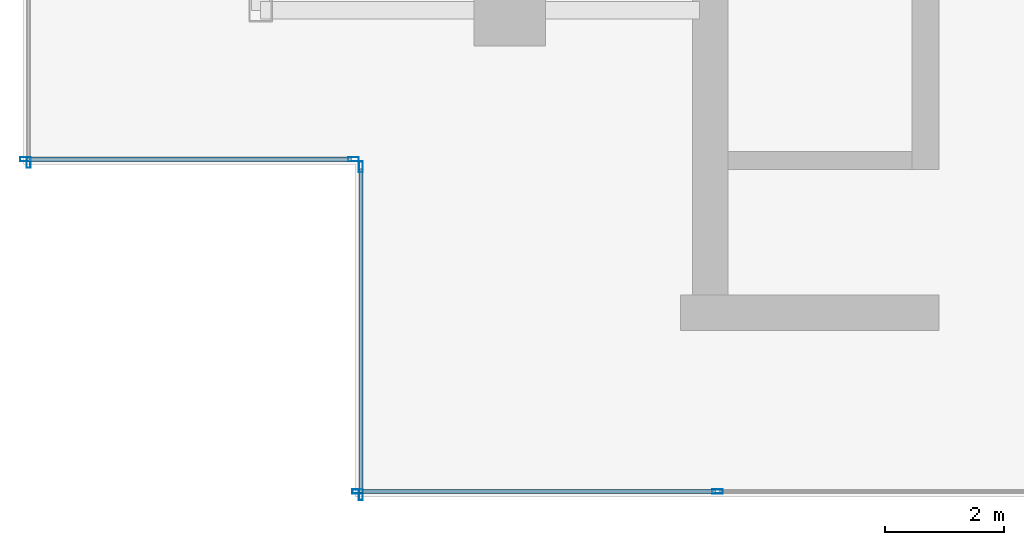
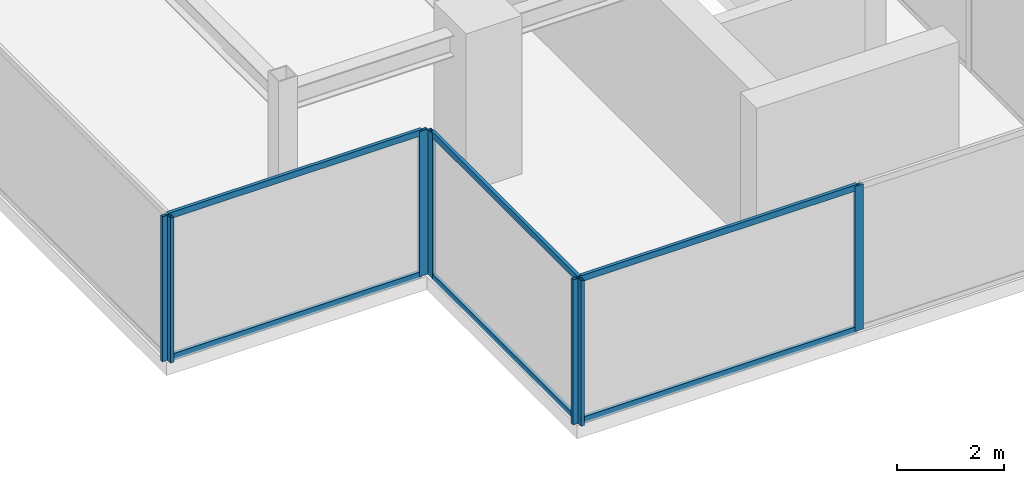
# One storey, part 2 of 16: 13 members, 4 elements without a shape of their own.
"""IFC4 building model written with IfcOpenShell, lengths in metres."""

from ifc_helpers import new_model, si_unit, direction, frame, origin, origin_2d, place, context, subcontext, project, spatial, hollow_rectangle, extrude, source, transform, mapped, material, material_profile, profile_set, type_object, type_shapes, element, aggregate, save


model = new_model("IFC4")

# Units and contexts
model_context = context("Model", 3, precision=1e-05, world=origin(), true_north=direction((0.0, 1.0)))
body_context = subcontext(model_context, "Body", "Model", "MODEL_VIEW")
ifc_project = project(units=[si_unit("LENGTHUNIT", "METRE"), si_unit("AREAUNIT", "SQUARE_METRE"), si_unit("VOLUMEUNIT", "CUBIC_METRE"), si_unit("PLANEANGLEUNIT", "RADIAN"), si_unit("MASSUNIT", "GRAM", prefix="KILO")], contexts=[model_context])

# Site, building, storey
site_placement = place(None, origin())
site = spatial("IfcSite", under=ifc_project, at=site_placement, CompositionType="ELEMENT")
building_placement = place(site_placement, origin())
building = spatial("IfcBuilding", under=site, at=building_placement, Name="Krantzveldt Concourse Tower", CompositionType="ELEMENT")
storey_placement = place(building_placement, frame((0.0, 0.0, 381.85009765625)))
storey = spatial("IfcBuildingStorey", under=building, at=storey_placement, Name="L94", CompositionType="ELEMENT", Elevation=381.85009765625)

# Curtain wall, members
ifc_material = material(Name="Anodised aluminium 6063-T6", Category="aluminium")
curtain_wall_type = type_object("IfcCurtainWallType", Name="CW7", PredefinedType="USERDEFINED", material=ifc_material)
curtain_wall_1_placement = place(storey_placement, origin())
curtain_wall_1 = element("IfcCurtainWall", 1, at=curtain_wall_1_placement, inside=storey, type_object=curtain_wall_type, Name="CW-L94-WEST-06", ObjectType="UNITISED CURTAIN WALL", PredefinedType="USERDEFINED")
ifc_material_profile_1 = material_profile(ifc_material, hollow_rectangle(XDim=0.070068359375, YDim=0.139892578125, WallThickness=0.0048828125, at=origin_2d()), Name="Anodised aluminium 6063-T6", Category="aluminium")
ifc_profile_set_1 = profile_set([ifc_material_profile_1], Name="Anodised aluminium 6063-T6 - ALU-TRAN 140x70x5")
member_type_1 = type_object("IfcMemberType", Name="CW-TRN-150", PredefinedType="USERDEFINED", material=ifc_profile_set_1)
shared_shape_1 = source(origin(), body_context, "Body", "SweptSolid", [
    extrude(hollow_rectangle(XDim=0.070068359375, YDim=0.139892578125, WallThickness=0.0048828125, at=origin_2d()), origin(), (0.0, 0.0, 1.0), 5.4599609375),
])
member_1_placement = place(storey_placement, frame((17.070068359375, 13.389892578125, 0.034912109375), z_axis=(1.0, 0.0, 0.0), x_axis=(0.0, 1.0, 0.0)))
member_1 = element("IfcMember", 2, at=member_1_placement, type_object=member_type_1, Name="CW-CRN transom 1.1", ObjectType="TRANSOM", PredefinedType="USERDEFINED", context=body_context, shape_type="MappedRepresentation", body=[
    mapped(shared_shape_1, transform((0.0, 0.0, 0.0), x_axis=(1.0, 0.0, 0.0), y_axis=(0.0, 1.0, 0.0), z_axis=(0.0, 0.0, 1.0), scale=1.0)),
])
member_2_placement = place(storey_placement, frame((17.070068359375, 13.389892578125, 3.264892578125), z_axis=(1.0, 0.0, 0.0), x_axis=(0.0, 1.0, 0.0)))
member_2 = element("IfcMember", 3, at=member_2_placement, type_object=member_type_1, Name="CW-CRN transom 1.2", ObjectType="TRANSOM", PredefinedType="USERDEFINED", context=body_context, shape_type="MappedRepresentation", body=[
    mapped(shared_shape_1, transform((0.0, 0.0, 0.0), x_axis=(1.0, 0.0, 0.0), y_axis=(0.0, 1.0, 0.0), z_axis=(0.0, 0.0, 1.0), scale=1.0)),
])

curtain_wall_2_placement = place(storey_placement, origin())
curtain_wall_2 = element("IfcCurtainWall", 4, at=curtain_wall_2_placement, inside=storey, type_object=curtain_wall_type, Name="CW-L94-WEST-07", ObjectType="UNITISED CURTAIN WALL", PredefinedType="USERDEFINED")
member_3_placement = place(storey_placement, frame((22.68994140625, 13.22998046875, 0.034912109375), z_axis=(0.0, -1.0, 0.0), x_axis=(1.0, 0.0, 0.0)))
member_3 = element("IfcMember", 5, at=member_3_placement, type_object=member_type_1, Name="CW-CRN transom 1.1", ObjectType="TRANSOM", PredefinedType="USERDEFINED", context=body_context, shape_type="MappedRepresentation", body=[
    mapped(shared_shape_1, transform((0.0, 0.0, 0.0), x_axis=(1.0, 0.0, 0.0), y_axis=(0.0, 1.0, 0.0), z_axis=(0.0, 0.0, 1.0), scale=1.0)),
])
member_4_placement = place(storey_placement, frame((22.68994140625, 13.22998046875, 3.264892578125), z_axis=(0.0, -1.0, 0.0), x_axis=(1.0, 0.0, 0.0)))
member_4 = element("IfcMember", 6, at=member_4_placement, type_object=member_type_1, Name="CW-CRN transom 1.2", ObjectType="TRANSOM", PredefinedType="USERDEFINED", context=body_context, shape_type="MappedRepresentation", body=[
    mapped(shared_shape_1, transform((0.0, 0.0, 0.0), x_axis=(1.0, 0.0, 0.0), y_axis=(0.0, 1.0, 0.0), z_axis=(0.0, 0.0, 1.0), scale=1.0)),
])

curtain_wall_3_placement = place(storey_placement, origin())
curtain_wall_3 = element("IfcCurtainWall", 7, at=curtain_wall_3_placement, inside=storey, type_object=curtain_wall_type, Name="CW-L94-WEST-00", ObjectType="UNITISED CURTAIN WALL", PredefinedType="USERDEFINED")
shared_shape_2 = source(origin(), body_context, "Body", "SweptSolid", [
    extrude(hollow_rectangle(XDim=0.070068359375, YDim=0.139892578125, WallThickness=0.0048828125, at=origin_2d()), origin(), (0.0, 0.0, 1.0), 5.9951171875),
])
type_shapes(member_type_1, [shared_shape_1, shared_shape_2])
member_5_placement = place(storey_placement, frame((22.669921875, 7.7900390625, 0.034912109375), z_axis=(1.0, 0.0, 0.0), x_axis=(0.0, 1.0, 0.0)))
member_5 = element("IfcMember", 8, at=member_5_placement, type_object=member_type_1, Name="CW-CRN transom 1.1", ObjectType="TRANSOM", PredefinedType="USERDEFINED", context=body_context, shape_type="MappedRepresentation", body=[
    mapped(shared_shape_2, transform((0.0, 0.0, 0.0), x_axis=(1.0, 0.0, 0.0), y_axis=(0.0, 1.0, 0.0), z_axis=(0.0, 0.0, 1.0), scale=1.0)),
])
member_6_placement = place(storey_placement, frame((22.669921875, 7.7900390625, 3.264892578125), z_axis=(1.0, 0.0, 0.0), x_axis=(0.0, 1.0, 0.0)))
member_6 = element("IfcMember", 9, at=member_6_placement, type_object=member_type_1, Name="CW-CRN transom 1.2", ObjectType="TRANSOM", PredefinedType="USERDEFINED", context=body_context, shape_type="MappedRepresentation", body=[
    mapped(shared_shape_2, transform((0.0, 0.0, 0.0), x_axis=(1.0, 0.0, 0.0), y_axis=(0.0, 1.0, 0.0), z_axis=(0.0, 0.0, 1.0), scale=1.0)),
])
ifc_material_profile_2 = material_profile(ifc_material, hollow_rectangle(XDim=0.070068359375, YDim=0.179931640625, WallThickness=0.0048828125, at=origin_2d()), Name="Anodised aluminium 6063-T6", Category="aluminium")
ifc_profile_set_2 = profile_set([ifc_material_profile_2], Name="Anodised aluminium 6063-T6 - ALU-MULL 180x70x5")
member_type_2 = type_object("IfcMemberType", Name="CW-MUL-180", PredefinedType="MULLION", material=ifc_profile_set_2)
shared_shape_3 = source(origin(), body_context, "Body", "SweptSolid", [
    extrude(hollow_rectangle(XDim=0.070068359375, YDim=0.179931640625, WallThickness=0.0048828125, at=origin_2d()), origin(), (0.0, 0.0, 1.0), 3.2998046875),
])
type_shapes(member_type_2, [shared_shape_3])
member_7_placement = place(storey_placement, frame((22.635009765625, 7.7900390625, 0.0), z_axis=(0.0, 0.0, 1.0), x_axis=(0.0, 1.0, 0.0)))
member_7 = element("IfcMember", 10, at=member_7_placement, type_object=member_type_2, Name="CW-CRN mullion 1", PredefinedType="MULLION", context=body_context, shape_type="MappedRepresentation", body=[
    mapped(shared_shape_3, transform((0.0, 0.0, 0.0), x_axis=(1.0, 0.0, 0.0), y_axis=(0.0, 1.0, 0.0), z_axis=(0.0, 0.0, 1.0), scale=1.0)),
])
member_8_placement = place(storey_placement, frame((28.699951171875, 7.7900390625, 0.0), z_axis=(0.0, 0.0, 1.0), x_axis=(0.0, 1.0, 0.0)))
member_8 = element("IfcMember", 11, at=member_8_placement, type_object=member_type_2, Name="CW-CRN mullion 2", PredefinedType="MULLION", context=body_context, shape_type="MappedRepresentation", body=[
    mapped(shared_shape_3, transform((0.0, 0.0, 0.0), x_axis=(1.0, 0.0, 0.0), y_axis=(0.0, 1.0, 0.0), z_axis=(0.0, 0.0, 1.0), scale=1.0)),
])
aggregate(curtain_wall_3, [member_7, member_8, member_5, member_6])

# Curtain wall, member
curtain_wall_4_placement = place(storey_placement, origin())
curtain_wall_4 = element("IfcCurtainWall", 12, at=curtain_wall_4_placement, inside=storey, type_object=curtain_wall_type, Name="CW-L94-WEST-05", ObjectType="UNITISED CURTAIN WALL", PredefinedType="USERDEFINED")
member_9_placement = place(storey_placement, frame((17.090087890625, 13.3349609375, 0.0), z_axis=(0.0, 0.0, 1.0), x_axis=(1.0, 0.0, 0.0)))
member_9 = element("IfcMember", 13, at=member_9_placement, type_object=member_type_2, Name="CW-CRN mullion 5", PredefinedType="MULLION", context=body_context, shape_type="MappedRepresentation", body=[
    mapped(shared_shape_3, transform((0.0, 0.0, 0.0), x_axis=(1.0, 0.0, 0.0), y_axis=(0.0, 1.0, 0.0), z_axis=(0.0, 0.0, 1.0), scale=1.0)),
])
aggregate(curtain_wall_4, [member_9])

# Member
member_10_placement = place(storey_placement, frame((17.034912109375, 13.389892578125, 0.0), z_axis=(0.0, 0.0, 1.0), x_axis=(0.0, 1.0, 0.0)))
member_10 = element("IfcMember", 14, at=member_10_placement, type_object=member_type_2, Name="CW-CRN mullion 1", PredefinedType="MULLION", context=body_context, shape_type="MappedRepresentation", body=[
    mapped(shared_shape_3, transform((0.0, 0.0, 0.0), x_axis=(1.0, 0.0, 0.0), y_axis=(0.0, 1.0, 0.0), z_axis=(0.0, 0.0, 1.0), scale=1.0)),
])

member_11_placement = place(storey_placement, frame((22.56494140625, 13.389892578125, 0.0), z_axis=(0.0, 0.0, 1.0), x_axis=(0.0, 1.0, 0.0)))
member_11 = element("IfcMember", 15, at=member_11_placement, type_object=member_type_2, Name="CW-CRN mullion 2", PredefinedType="MULLION", context=body_context, shape_type="MappedRepresentation", body=[
    mapped(shared_shape_3, transform((0.0, 0.0, 0.0), x_axis=(1.0, 0.0, 0.0), y_axis=(0.0, 1.0, 0.0), z_axis=(0.0, 0.0, 1.0), scale=1.0)),
])

aggregate(curtain_wall_1, [member_10, member_11, member_1, member_2])

member_12_placement = place(storey_placement, frame((22.68994140625, 13.264892578125, 0.0), z_axis=(0.0, 0.0, 1.0), x_axis=(1.0, 0.0, 0.0)))
member_12 = element("IfcMember", 16, at=member_12_placement, type_object=member_type_2, Name="CW-CRN mullion 1", PredefinedType="MULLION", context=body_context, shape_type="MappedRepresentation", body=[
    mapped(shared_shape_3, transform((0.0, 0.0, 0.0), x_axis=(1.0, 0.0, 0.0), y_axis=(0.0, 1.0, 0.0), z_axis=(0.0, 0.0, 1.0), scale=1.0)),
])

member_13_placement = place(storey_placement, frame((22.68994140625, 7.735107421875, 0.0), z_axis=(0.0, 0.0, 1.0), x_axis=(1.0, 0.0, 0.0)))
member_13 = element("IfcMember", 17, at=member_13_placement, type_object=member_type_2, Name="CW-CRN mullion 2", PredefinedType="MULLION", context=body_context, shape_type="MappedRepresentation", body=[
    mapped(shared_shape_3, transform((0.0, 0.0, 0.0), x_axis=(1.0, 0.0, 0.0), y_axis=(0.0, 1.0, 0.0), z_axis=(0.0, 0.0, 1.0), scale=1.0)),
])

aggregate(curtain_wall_2, [member_12, member_13, member_3, member_4])

save(model, "model.ifc")
